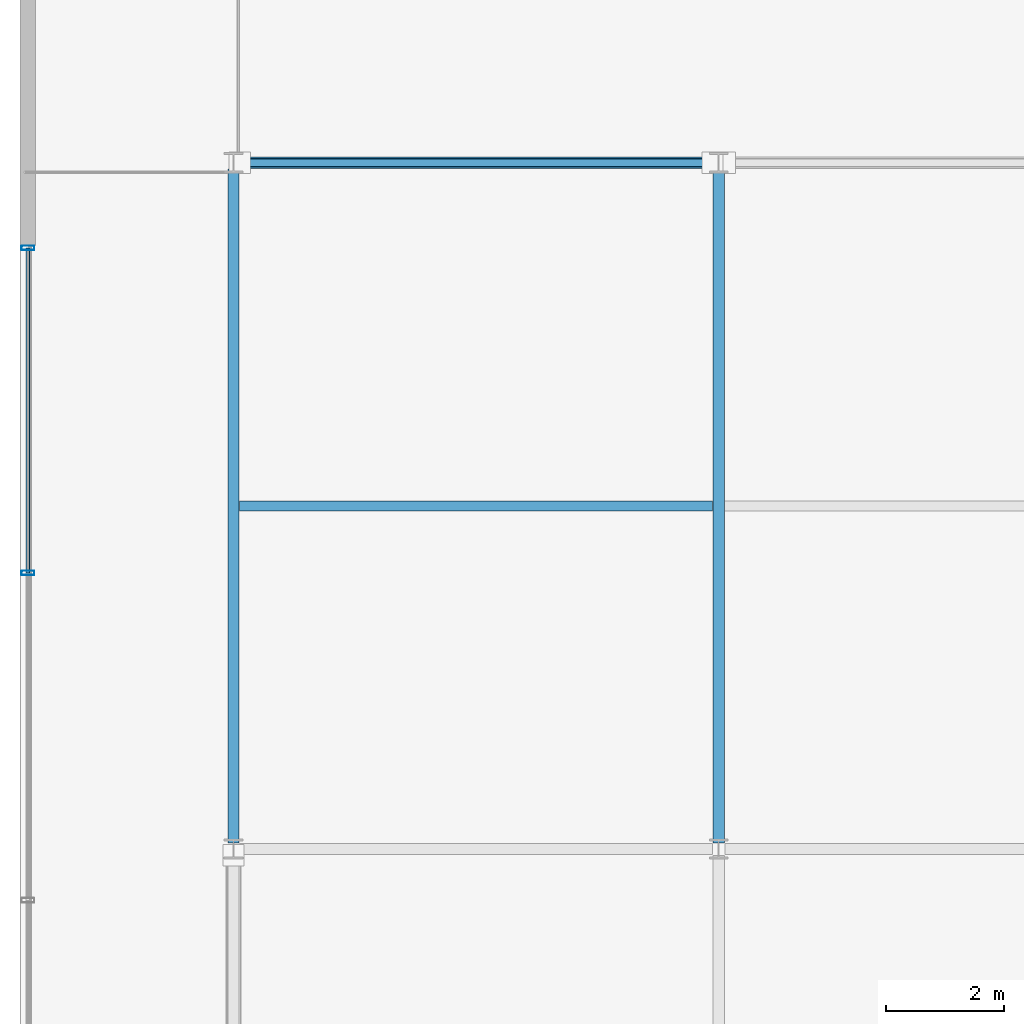
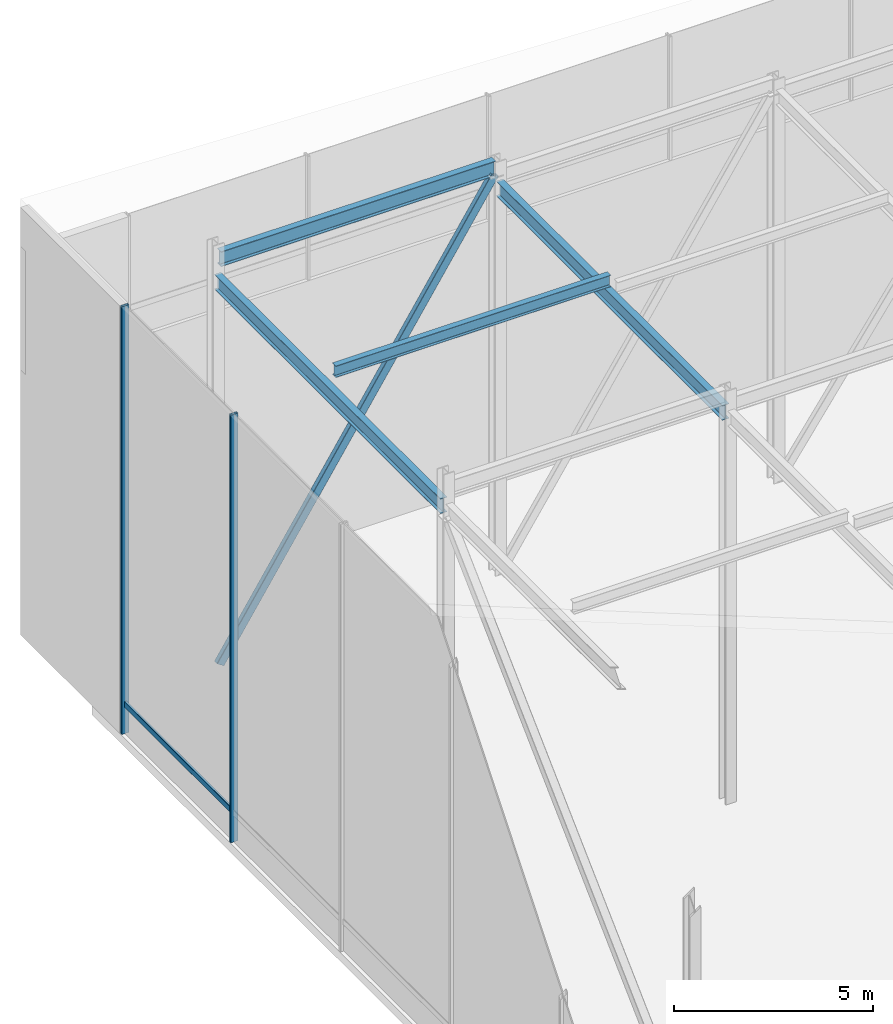
# One storey, part 18 of 39: 4 beams, 4 members, 1 element without a shape of its own.
"""IFC4 building model written with IfcOpenShell, lengths in metres."""

from ifc_helpers import new_model, si_unit, direction, frame, origin, origin_2d, place, context, subcontext, project, spatial, hollow_rectangle, i_section, extrude, material, layer, layer_set, material_profile, profile_set, type_object, element, aggregate, save


model = new_model("IFC4")

# Units and contexts
model_context = context("Model", 3, precision=1e-05, world=origin(), true_north=direction((0.0, 1.0)))
body_context = subcontext(model_context, "Body", "Model", "MODEL_VIEW")
ifc_project = project(units=[si_unit("LENGTHUNIT", "METRE"), si_unit("AREAUNIT", "SQUARE_METRE"), si_unit("VOLUMEUNIT", "CUBIC_METRE"), si_unit("PLANEANGLEUNIT", "RADIAN"), si_unit("MASSUNIT", "GRAM", prefix="KILO")], contexts=[model_context])

# Site, building, storey
site_placement = place(None, origin())
site = spatial("IfcSite", under=ifc_project, at=site_placement, CompositionType="ELEMENT")
building_placement = place(site_placement, origin())
building = spatial("IfcBuilding", under=site, at=building_placement, Name="Korimba Cascade Residences", CompositionType="ELEMENT")
storey_placement = place(building_placement, frame((0.0, 0.0, 264.199951171875)))
storey = spatial("IfcBuildingStorey", under=building, at=storey_placement, Name="RF", CompositionType="ELEMENT", Elevation=264.199951171875)

# Beams
ifc_material_1 = material(Name="Steel S355", Category="steel")
ifc_material_profile_1 = material_profile(ifc_material_1, i_section(OverallWidth=0.172119140625, OverallDepth=0.35791015625, WebThickness=0.008056640625, FlangeThickness=0.012939453125, FilletRadius=0.01025390625, at=origin_2d()), Name="Steel S355")
ifc_profile_set_1 = profile_set([ifc_material_profile_1], Name="Steel S355")
beam_type_1 = type_object("IfcBeamType", Name="BM-STL-UB356", PredefinedType="JOIST", material=ifc_profile_set_1)
beam_1_placement = place(storey_placement, frame((59.89990234375, 85.39990234375, 12.53271484375), z_axis=(1.0, 0.0, 0.0), x_axis=(0.0, 1.0, 0.0)))
element("IfcBeam", 1, at=beam_1_placement, inside=storey, type_object=beam_type_1, Name="RF Crown Cap Joist W3.1", PredefinedType="JOIST", context=body_context, shape_type="SweptSolid", body=[
    extrude(i_section(OverallWidth=0.172119140625, OverallDepth=0.35791015625, WebThickness=0.008056640625, FlangeThickness=0.012939453125, FilletRadius=0.01025390625, at=origin_2d()), origin(), (0.0, 0.0, 1.0), 8.0),
])
ifc_material_profile_2 = material_profile(ifc_material_1, i_section(OverallWidth=0.19140625, OverallDepth=0.4599609375, WebThickness=0.010009765625, FlangeThickness=0.01611328125, FilletRadius=0.01025390625, at=origin_2d()), Name="Steel S355")
ifc_profile_set_2 = profile_set([ifc_material_profile_2], Name="Steel S355")
beam_type_2 = type_object("IfcBeamType", Name="BM-STL-UB457", PredefinedType="JOIST", material=ifc_profile_set_2)
beam_2_placement = place(storey_placement, frame((59.905029296875, 91.199951171875, 12.481689453125), z_axis=(1.0, 0.0, 0.0), x_axis=(0.0, 1.0, 0.0)))
element("IfcBeam", 2, at=beam_2_placement, inside=storey, type_object=beam_type_2, Name="RF Crown Cap Ring Beam W4.1", PredefinedType="JOIST", context=body_context, shape_type="SweptSolid", body=[
    extrude(i_section(OverallWidth=0.19140625, OverallDepth=0.4599609375, WebThickness=0.010009765625, FlangeThickness=0.01611328125, FilletRadius=0.01025390625, at=origin_2d()), origin(), (0.0, 0.0, 1.0), 7.989990234375),
])
for number, where, z_axis, x_axis, name in (
    (3, (59.800048828125, 79.705078125, 11.86865234375), (0.0, 1.0, 0.0), (-1.0, 0.0, 0.0), "RF Crown Cap Tie Beam W1.3"),
    (4, (68.0, 79.705078125, 11.86865234375), (0.0, 1.0, 0.0), (-1.0, 0.0, 0.0), "RF Crown Cap Tie Beam W2.3"),
):
    element("IfcBeam", number, at=place(storey_placement, frame(where, z_axis=z_axis, x_axis=x_axis)), inside=storey, type_object=beam_type_2, Name=name, PredefinedType="JOIST", context=body_context, shape_type="SweptSolid", body=[
        extrude(i_section(OverallWidth=0.19140625, OverallDepth=0.4599609375, WebThickness=0.010009765625, FlangeThickness=0.01611328125, FilletRadius=0.01025390625, at=origin_2d()), origin(), (0.0, 0.0, 1.0), 11.389892578125),
    ])

# Curtain wall, members
ifc_material_2 = material(Name="Anodised Aluminium Curtain Wall Framing", Category="aluminium")
ifc_layer = layer(ifc_material_2, 0.179931640625)
ifc_layer_set = layer_set([ifc_layer], Name="Anodised Aluminium Curtain Wall Framing")
curtain_wall_type = type_object("IfcCurtainWallType", Name="CW-CRNW-SYS5", PredefinedType="NOTDEFINED", material=ifc_layer_set)
curtain_wall_placement = place(storey_placement, origin())
curtain_wall = element("IfcCurtainWall", 5, at=curtain_wall_placement, inside=storey, type_object=curtain_wall_type, Name="RF Curtain Wall CW-RF-CRN-W-1", PredefinedType="NOTDEFINED")
ifc_material_3 = material(Name="Anodised Aluminium Mullion", Category="aluminium")
ifc_material_profile_3 = material_profile(ifc_material_3, hollow_rectangle(XDim=0.080078125, YDim=0.219970703125, WallThickness=0.00634765625, InnerFilletRadius=0.00634765625, OuterFilletRadius=0.0126953125, at=origin_2d()), Name="Anodised Aluminium Mullion")
ifc_profile_set_3 = profile_set([ifc_material_profile_3], Name="Anodised Aluminium Mullion")
member_type_1 = type_object("IfcMemberType", Name="CWM-MUL-220", PredefinedType="MULLION", material=ifc_profile_set_3)
member_1_placement = place(storey_placement, frame((56.324951171875, 84.2666015625, 0.0), z_axis=(0.0, 0.0, 1.0), x_axis=(0.0, 1.0, 0.0)))
member_1 = element("IfcMember", 6, at=member_1_placement, type_object=member_type_1, Name="CW-RF-CRN-W-1 Mullion 6", PredefinedType="MULLION", context=body_context, shape_type="SweptSolid", body=[
    extrude(hollow_rectangle(XDim=0.080078125, YDim=0.219970703125, WallThickness=0.00634765625, InnerFilletRadius=0.00634765625, OuterFilletRadius=0.0126953125, at=origin_2d()), origin(), (0.0, 0.0, 1.0), 13.1455078125),
])
member_2_placement = place(storey_placement, frame((56.324951171875, 89.760009765625, 0.0), z_axis=(0.0, 0.0, 1.0), x_axis=(0.0, 1.0, 0.0)))
member_2 = element("IfcMember", 7, at=member_2_placement, type_object=member_type_1, Name="CW-RF-CRN-W-1 Mullion 7", PredefinedType="MULLION", context=body_context, shape_type="SweptSolid", body=[
    extrude(hollow_rectangle(XDim=0.080078125, YDim=0.219970703125, WallThickness=0.00634765625, InnerFilletRadius=0.00634765625, OuterFilletRadius=0.0126953125, at=origin_2d()), origin(), (0.0, 0.0, 1.0), 13.1455078125),
])
ifc_material_4 = material(Name="Anodised Aluminium Transom", Category="aluminium")
ifc_material_profile_4 = material_profile(ifc_material_4, hollow_rectangle(XDim=0.070068359375, YDim=0.179931640625, WallThickness=0.0048828125, InnerFilletRadius=0.0048828125, OuterFilletRadius=0.010009765625, at=origin_2d()), Name="Anodised Aluminium Transom")
ifc_profile_set_4 = profile_set([ifc_material_profile_4], Name="Anodised Aluminium Transom")
member_type_2 = type_object("IfcMemberType", Name="CWM-TRN-150", PredefinedType="USERDEFINED", material=ifc_profile_set_4)
member_3_placement = place(storey_placement, frame((56.324951171875, 84.2666015625, 0.900146484375), z_axis=(0.0, 1.0, 0.0), x_axis=(-1.0, 0.0, 0.0)))
member_3 = element("IfcMember", 8, at=member_3_placement, type_object=member_type_2, Name="CW-RF-CRN-W-1 Transom 6", ObjectType="TRANSOM", PredefinedType="USERDEFINED", context=body_context, shape_type="SweptSolid", body=[
    extrude(hollow_rectangle(XDim=0.070068359375, YDim=0.179931640625, WallThickness=0.0048828125, InnerFilletRadius=0.0048828125, OuterFilletRadius=0.010009765625, at=origin_2d()), origin(), (0.0, 0.0, 1.0), 5.493408203125),
])
aggregate(curtain_wall, [member_1, member_2, member_3])

# Member
ifc_material_profile_5 = material_profile(ifc_material_1, hollow_rectangle(XDim=0.14990234375, YDim=0.25, WallThickness=0.009033203125, InnerFilletRadius=0.009033203125, OuterFilletRadius=0.01806640625, at=origin_2d()), Name="Steel S355")
ifc_profile_set_5 = profile_set([ifc_material_profile_5], Name="Steel S355")
member_type_3 = type_object("IfcMemberType", Name="MEM-CRN-RHS250", PredefinedType="BRACE", material=ifc_profile_set_5)
member_4_placement = place(storey_placement, frame((59.905029296875, 91.199951171875, 0.0), z_axis=(0.546072317474, 0.0, 0.837738040254), x_axis=(0.0, 1.0, 0.0)))
element("IfcMember", 9, at=member_4_placement, inside=storey, type_object=member_type_3, Name="RF CROWN FRAME Diagonal Brace W4.1", PredefinedType="BRACE", context=body_context, shape_type="SweptSolid", body=[
    extrude(hollow_rectangle(XDim=0.14990234375, YDim=0.25, WallThickness=0.009033203125, InnerFilletRadius=0.009033203125, OuterFilletRadius=0.01806640625, at=origin_2d()), origin(), (0.0, 0.0, 1.0), 14.6318359375),
])

save(model, "model.ifc")
